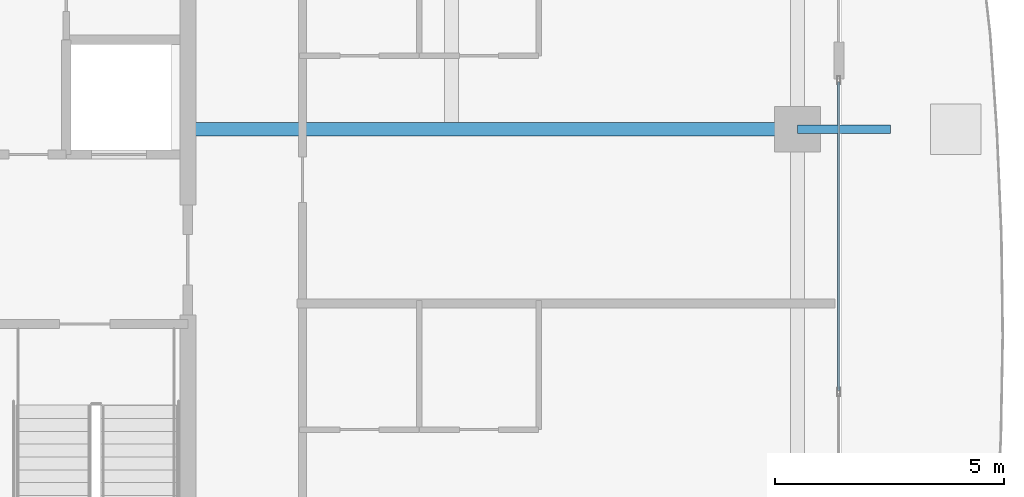
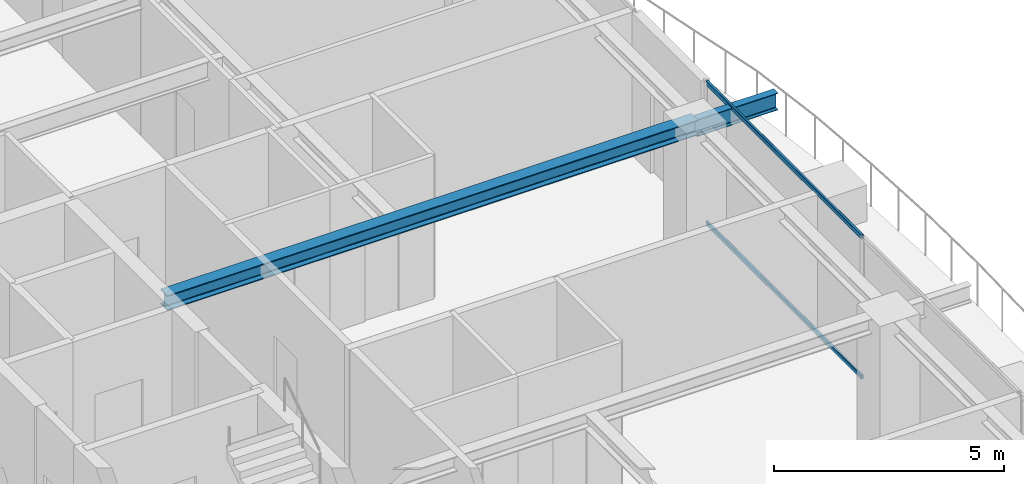
# One storey, part 17 of 39: 2 beams, 2 members, 1 element without a shape of its own.
"""IFC4 building model written with IfcOpenShell, lengths in metres."""

from ifc_helpers import new_model, si_unit, direction, frame, origin, origin_2d, place, context, subcontext, project, spatial, hollow_rectangle, i_section, extrude, source, transform, mapped, material, layer, layer_set, material_profile, profile_set, type_object, element, aggregate, save


model = new_model("IFC4")

# Units and contexts
model_context = context("Model", 3, precision=1e-05, world=origin(), true_north=direction((0.0, 1.0)))
body_context = subcontext(model_context, "Body", "Model", "MODEL_VIEW")
ifc_project = project(units=[si_unit("LENGTHUNIT", "METRE"), si_unit("AREAUNIT", "SQUARE_METRE"), si_unit("VOLUMEUNIT", "CUBIC_METRE"), si_unit("PLANEANGLEUNIT", "RADIAN"), si_unit("MASSUNIT", "GRAM", prefix="KILO")], contexts=[model_context])

# Site, building, storey
site_placement = place(None, origin())
site = spatial("IfcSite", under=ifc_project, at=site_placement, CompositionType="ELEMENT")
building_placement = place(site_placement, origin())
building = spatial("IfcBuilding", under=site, at=building_placement, Name="Serunith Strait Residences", CompositionType="ELEMENT")
storey_placement = place(building_placement, frame((0.0, 0.0, 329.89990234375)))
storey = spatial("IfcBuildingStorey", under=building, at=storey_placement, Name="L82", CompositionType="ELEMENT", Elevation=329.89990234375)

# Beams
ifc_material_1 = material(Name="Steel S355J2", Category="steel")
ifc_material_profile_1 = material_profile(ifc_material_1, i_section(OverallWidth=0.300048828125, OverallDepth=0.39990234375, WebThickness=0.013427734375, FlangeThickness=0.02392578125, FilletRadius=0.027099609375, at=origin_2d()), Name="HEB 400")
ifc_profile_set_1 = profile_set([ifc_material_profile_1], Name="Steel S355J2")
beam_type_1 = type_object("IfcBeamType", Name="BM-HEB400", PredefinedType="BEAM", material=ifc_profile_set_1)
shared_shape_1 = source(origin(), body_context, "Body", "SweptSolid", [
    extrude(i_section(OverallWidth=0.300048828125, OverallDepth=0.39990234375, WebThickness=0.013427734375, FlangeThickness=0.02392578125, FilletRadius=0.027099609375, at=origin_2d()), origin(), (0.0, 0.0, 1.0), 13.300048828125),
])
beam_1_placement = place(storey_placement, frame((41.39990234375, 29.39990234375, 3.587158203125), z_axis=(1.0, 0.0, 0.0), x_axis=(0.0, 1.0, 0.0)))
element("IfcBeam", 1, at=beam_1_placement, inside=storey, type_object=beam_type_1, Name="L82 Primary Floor Girder TC-E3", PredefinedType="BEAM", context=body_context, shape_type="MappedRepresentation", body=[
    mapped(shared_shape_1, transform((0.0, 0.0, 0.0), scale=1.0)),
])
ifc_material_profile_2 = material_profile(ifc_material_1, i_section(OverallWidth=0.18994140625, OverallDepth=0.449951171875, WebThickness=0.009521484375, FlangeThickness=0.0146484375, FilletRadius=0.02099609375, at=origin_2d()), Name="IPE 450")
ifc_profile_set_2 = profile_set([ifc_material_profile_2], Name="Steel S355J2")
beam_type_2 = type_object("IfcBeamType", Name="BM-IPE450", PredefinedType="JOIST", material=ifc_profile_set_2)
shared_shape_2 = source(origin(), body_context, "Body", "SweptSolid", [
    extrude(i_section(OverallWidth=0.18994140625, OverallDepth=0.449951171875, WebThickness=0.009521484375, FlangeThickness=0.0146484375, FilletRadius=0.02099609375, at=origin_2d()), origin(), (0.0, 0.0, 1.0), 2.030029296875),
])
beam_2_placement = place(storey_placement, frame((54.699951171875, 29.39990234375, 3.531982421875), z_axis=(1.0, 0.0, 0.0), x_axis=(0.0, 1.0, 0.0)))
element("IfcBeam", 2, at=beam_2_placement, inside=storey, type_object=beam_type_2, Name="L83 Cantilevered Balcony Rib TC-E3", PredefinedType="JOIST", context=body_context, shape_type="MappedRepresentation", body=[
    mapped(shared_shape_2, transform((0.0, 0.0, 0.0), scale=1.0)),
])

# Curtain wall, members
ifc_material_2 = material(Name="Brushed Stainless-Silver Aluminium", Category="aluminium")
ifc_layer = layer(ifc_material_2, 0.199951171875, Name="Brushed Stainless-Silver Aluminium")
ifc_layer_set = layer_set([ifc_layer], Name="Brushed Stainless-Silver Aluminium")
curtain_wall_type = type_object("IfcCurtainWallType", Name="CW-SYS5", PredefinedType="NOTDEFINED", material=ifc_layer_set)
curtain_wall_placement = place(storey_placement, origin())
curtain_wall = element("IfcCurtainWall", 3, at=curtain_wall_placement, inside=storey, type_object=curtain_wall_type, Name="L82 E Unitised Fritted Curtain Wall", PredefinedType="NOTDEFINED")
ifc_material_profile_3 = material_profile(ifc_material_2, hollow_rectangle(XDim=0.06005859375, YDim=0.1201171875, WallThickness=0.00341796875, InnerFilletRadius=0.00537109375, OuterFilletRadius=0.0087890625, at=origin_2d()), Name="ALU 120x60x3.5")
ifc_profile_set_3 = profile_set([ifc_material_profile_3], Name="Brushed Stainless-Silver Aluminium")
member_type = type_object("IfcMemberType", Name="CW-SYS5-TRAN", PredefinedType="USERDEFINED", material=ifc_profile_set_3)
shared_shape_3 = source(origin(), body_context, "Body", "SweptSolid", [
    extrude(hollow_rectangle(XDim=0.06005859375, YDim=0.1201171875, WallThickness=0.00341796875, InnerFilletRadius=0.00537109375, OuterFilletRadius=0.0087890625, at=origin_2d()), origin(), (0.0, 0.0, 1.0), 6.73583984375),
])
member_1_placement = place(storey_placement, frame((55.60009765625, 23.69921875, 0.030029296875), z_axis=(0.0, 1.0, 0.0), x_axis=(-1.0, 0.0, 0.0)))
member_1 = element("IfcMember", 4, at=member_1_placement, type_object=member_type, Name="CW-5 transom 3.1", ObjectType="TRANSOM", PredefinedType="USERDEFINED", context=body_context, shape_type="MappedRepresentation", body=[
    mapped(shared_shape_3, transform((0.0, 0.0, 0.0), scale=1.0)),
])
member_2_placement = place(storey_placement, frame((55.60009765625, 23.69921875, 3.7451171875), z_axis=(0.0, 1.0, 0.0), x_axis=(-1.0, 0.0, 0.0)))
member_2 = element("IfcMember", 5, at=member_2_placement, type_object=member_type, Name="CW-5 transom 3.2", ObjectType="TRANSOM", PredefinedType="USERDEFINED", context=body_context, shape_type="MappedRepresentation", body=[
    mapped(shared_shape_3, transform((0.0, 0.0, 0.0), scale=1.0)),
])
aggregate(curtain_wall, [member_1, member_2])

save(model, "model.ifc")
